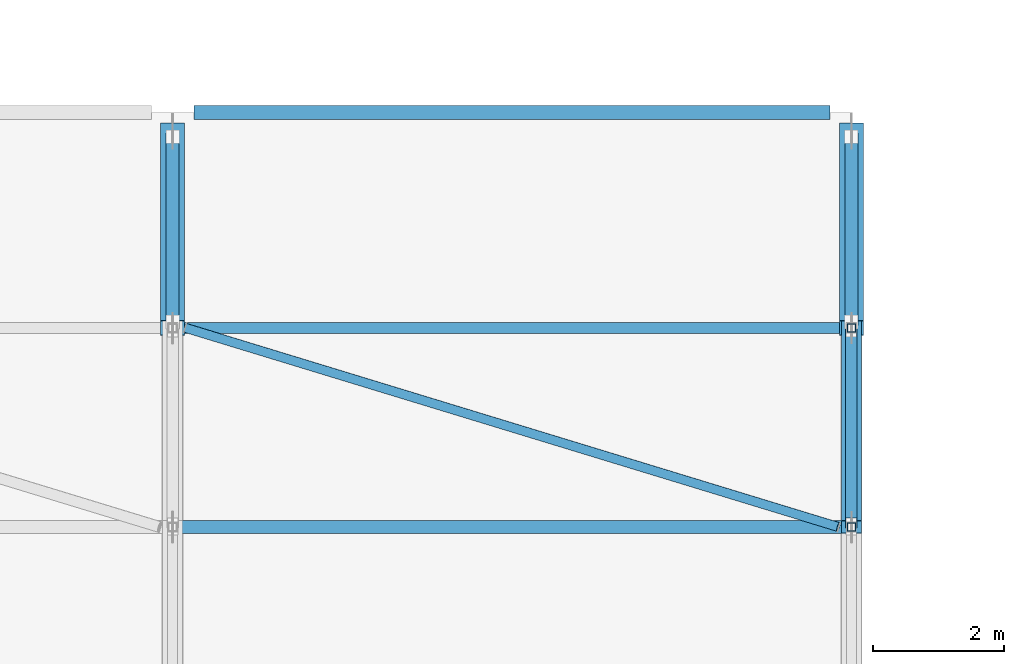
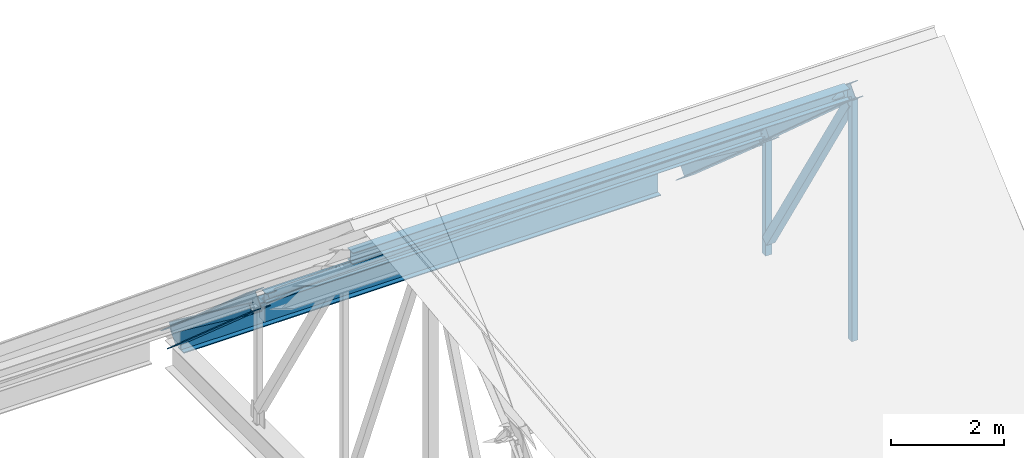
# One storey, part 30 of 86: 9 members, 3 beams.
"""IFC4 building model written with IfcOpenShell, lengths in metres."""

from ifc_helpers import new_model, si_unit, derived_unit, direction, frame, origin, origin_2d, place, context, subcontext, project, spatial, hollow_rectangle, hollow_circle, i_section, extrude, material, material_profile, profile_set, type_object, element, save


model = new_model("IFC4")

# Units and contexts
model_context = context("Model", 3, precision=1e-05, world=origin(), true_north=direction((0.0, 1.0)))
body_context = subcontext(model_context, "Body", "Model", "MODEL_VIEW")
ifc_project = project(units=[si_unit("LENGTHUNIT", "METRE"), si_unit("AREAUNIT", "SQUARE_METRE"), si_unit("VOLUMEUNIT", "CUBIC_METRE"), si_unit("PLANEANGLEUNIT", "RADIAN"), si_unit("MASSUNIT", "GRAM", prefix="KILO"), derived_unit("THERMALTRANSMITTANCEUNIT", [(si_unit("POWERUNIT", "WATT"), 1), (si_unit("LENGTHUNIT", "METRE"), -2), (si_unit("THERMODYNAMICTEMPERATUREUNIT", "KELVIN"), -1)])], contexts=[model_context])

# Site, building, storey
site_placement = place(None, origin())
site = spatial("IfcSite", under=ifc_project, at=site_placement, CompositionType="ELEMENT")
building_placement = place(site_placement, origin())
building = spatial("IfcBuilding", under=site, at=building_placement, Name="Braskholm Square Health Centre", CompositionType="ELEMENT")
storey_placement = place(building_placement, frame((0.0, 0.0, 13.5)))
storey = spatial("IfcBuildingStorey", under=building, at=storey_placement, Name="L04", CompositionType="ELEMENT", Elevation=13.5)

# Beams
ifc_material_1 = material(Name="Steel ASTM A992 Grade 50", Category="steel")
ifc_material_profile_1 = material_profile(ifc_material_1, i_section(OverallWidth=0.201904296875, OverallDepth=0.2470703125, WebThickness=0.00732421875, FlangeThickness=0.010986328125, at=origin_2d()), Name="W10X33")
ifc_profile_set_1 = profile_set([ifc_material_profile_1], Name="Steel ASTM A992 Grade 50")
beam_type_1 = type_object("IfcBeamType", Name="RoofPurlinJoistW10X33", PredefinedType="JOIST", material=ifc_profile_set_1)
beam_1_placement = place(storey_placement, frame((110.1201171875, 100.64990234375, 5.12109375), z_axis=(1.0, 0.0, 0.0), x_axis=(0.0, 1.0, 0.0)))
element("IfcBeam", 1, at=beam_1_placement, inside=storey, type_object=beam_type_1, Name="ROOF TRUSS purlin joist 034", PredefinedType="JOIST", context=body_context, shape_type="SweptSolid", body=[
    extrude(i_section(OverallWidth=0.201904296875, OverallDepth=0.2470703125, WebThickness=0.00732421875, FlangeThickness=0.010986328125, at=origin_2d()), origin(), (0.0, 0.0, 1.0), 10.159912109375),
])
ifc_material_profile_2 = material_profile(ifc_material_1, i_section(OverallWidth=0.1650390625, OverallDepth=0.200927734375, WebThickness=0.006103515625, FlangeThickness=0.01025390625, at=origin_2d()), Name="W8X24")
ifc_profile_set_2 = profile_set([ifc_material_profile_2], Name="Steel ASTM A992 Grade 50")
beam_type_2 = type_object("IfcBeamType", Name="RoofPurlinJoistW8X24", PredefinedType="JOIST", material=ifc_profile_set_2)
beam_2_placement = place(storey_placement, frame((110.1201171875, 103.699951171875, 2.402099609375), z_axis=(1.0, 0.0, 0.0), x_axis=(0.0, 1.0, 0.0)))
element("IfcBeam", 2, at=beam_2_placement, inside=storey, type_object=beam_type_2, Name="ROOF TRUSS purlin joist 035", PredefinedType="JOIST", context=body_context, shape_type="SweptSolid", body=[
    extrude(i_section(OverallWidth=0.1650390625, OverallDepth=0.200927734375, WebThickness=0.006103515625, FlangeThickness=0.01025390625, at=origin_2d()), origin(), (0.0, 0.0, 1.0), 10.159912109375),
])

# Member
ifc_material_2 = material(Name="Steel ASTM A500 Grade C", Category="steel")
ifc_material_profile_3 = material_profile(ifc_material_2, hollow_circle(Radius=0.070556640625, WallThickness=0.006103515625, at=origin_2d()), Name="HSS5.563X0.258")
ifc_profile_set_3 = profile_set([ifc_material_profile_3], Name="Steel ASTM A500 Grade C")
member_type_1 = type_object("IfcMemberType", Name="RoofSwayBraceCHS141", PredefinedType="BRACE", material=ifc_profile_set_3)
member_1_placement = place(storey_placement, frame((110.199951171875, 103.699951171875, 2.402099609375), z_axis=(0.925704815743, -0.282344488845, 0.251698596995), x_axis=(0.291736758099, 0.956498648182, 0.0)))
element("IfcMember", 3, at=member_1_placement, inside=storey, type_object=member_type_1, Name="ROOF TRUSS slope brace North Bay 7", PredefinedType="BRACE", context=body_context, shape_type="SweptSolid", body=[
    extrude(hollow_circle(Radius=0.070556640625, WallThickness=0.006103515625, at=origin_2d()), origin(), (0.0, 0.0, 1.0), 10.802490234375),
])

# Beam
ifc_material_profile_4 = material_profile(ifc_material_1, i_section(OverallWidth=0.2119140625, OverallDepth=0.5439453125, WebThickness=0.01318359375, FlangeThickness=0.021240234375, at=origin_2d()), Name="W21X83")
ifc_profile_set_4 = profile_set([ifc_material_profile_4], Name="Steel ASTM A992 Grade 50")
beam_type_3 = type_object("IfcBeamType", Name="SteelGirderEaveW21X83", PredefinedType="BEAM", material=ifc_profile_set_4)
beam_3_placement = place(storey_placement, frame((110.324951171875, 107.0, -0.572021484375), z_axis=(1.0, 0.0, 0.0), x_axis=(0.0, 1.0, 0.0)))
element("IfcBeam", 4, at=beam_3_placement, inside=storey, type_object=beam_type_3, Name="Beam 14-15/R L04", PredefinedType="BEAM", context=body_context, shape_type="SweptSolid", body=[
    extrude(i_section(OverallWidth=0.2119140625, OverallDepth=0.5439453125, WebThickness=0.01318359375, FlangeThickness=0.021240234375, at=origin_2d()), origin(), (0.0, 0.0, 1.0), 9.75),
])

# Members
ifc_material_profile_5 = material_profile(ifc_material_1, i_section(OverallWidth=0.304931640625, OverallDepth=0.306884765625, WebThickness=0.010009765625, FlangeThickness=0.015380859375, at=origin_2d()), Name="W12X65")
ifc_profile_set_5 = profile_set([ifc_material_profile_5], Name="Steel ASTM A992 Grade 50")
member_type_2 = type_object("IfcMemberType", Name="TrussHipChordW12X65", PredefinedType="CHORD", material=ifc_profile_set_5)
member_2_placement = place(storey_placement, frame((120.39990234375, 100.64990234375, 5.101318359375), z_axis=(0.0, 0.746426169494, -0.665468236278), x_axis=(-1.0, 0.0, 0.0)))
element("IfcMember", 5, at=member_2_placement, inside=storey, type_object=member_type_2, Name="ROOF TRUSS top chord TR-08-5", PredefinedType="CHORD", context=body_context, shape_type="SweptSolid", body=[
    extrude(i_section(OverallWidth=0.304931640625, OverallDepth=0.306884765625, WebThickness=0.010009765625, FlangeThickness=0.015380859375, at=origin_2d()), origin(), (0.0, 0.0, 1.0), 4.086181640625),
])
ifc_material_profile_6 = material_profile(ifc_material_2, hollow_rectangle(XDim=0.177734375, YDim=0.177734375, WallThickness=0.0087890625, at=origin_2d()), Name="HSS7X7X3/8")
ifc_profile_set_6 = profile_set([ifc_material_profile_6], Name="Steel ASTM A500 Grade C")
member_type_3 = type_object("IfcMemberType", Name="TrussInnerDiagHSS7X7", PredefinedType="BRACE", material=ifc_profile_set_6)
member_3_placement = place(storey_placement, frame((120.39990234375, 103.636962890625, 0.06201171875), z_axis=(0.0, -0.522065213128, 0.852905571117), x_axis=(1.0, 0.0, 0.0)))
element("IfcMember", 6, at=member_3_placement, inside=storey, type_object=member_type_3, Name="ROOF TRUSS diagonal web TR-08-D5", PredefinedType="BRACE", context=body_context, shape_type="SweptSolid", body=[
    extrude(hollow_rectangle(XDim=0.177734375, YDim=0.177734375, WallThickness=0.0087890625, at=origin_2d()), origin(), (0.0, 0.0, 1.0), 5.60107421875),
])
ifc_material_profile_7 = material_profile(ifc_material_2, hollow_rectangle(XDim=0.203125, YDim=0.203125, WallThickness=0.01171875, at=origin_2d()), Name="HSS8X8X1/2")
ifc_profile_set_7 = profile_set([ifc_material_profile_7], Name="Steel ASTM A500 Grade C")
member_type_4 = type_object("IfcMemberType", Name="TrussOuterDiagHSS8X8X12", PredefinedType="BRACE", material=ifc_profile_set_7)
for number, where, z_axis, x_axis, name in (
    (7, (110.0, 106.6240234375, 0.031982421875), (0.0, -0.800430964811, 0.599424949908), (1.0, 0.0, 0.0), "ROOF TRUSS diagonal web TR-07-D6"),
    (8, (120.39990234375, 106.6240234375, 0.031982421875), (0.0, -0.800430964811, 0.599424949908), (1.0, 0.0, 0.0), "ROOF TRUSS diagonal web TR-08-D6"),
):
    element("IfcMember", number, at=place(storey_placement, frame(where, z_axis=z_axis, x_axis=x_axis)), inside=storey, type_object=member_type_4, Name=name, PredefinedType="BRACE", context=body_context, shape_type="SweptSolid", body=[
        extrude(hollow_rectangle(XDim=0.203125, YDim=0.203125, WallThickness=0.01171875, at=origin_2d()), origin(), (0.0, 0.0, 1.0), 3.533203125),
    ])
ifc_material_profile_8 = material_profile(ifc_material_1, i_section(OverallWidth=0.368896484375, OverallDepth=0.35595703125, WebThickness=0.01123046875, FlangeThickness=0.01806640625, at=origin_2d()), Name="W14X90")
ifc_profile_set_8 = profile_set([ifc_material_profile_8], Name="Steel ASTM A992 Grade 50")
member_type_5 = type_object("IfcMemberType", Name="TrussTopChordW14X90", PredefinedType="CHORD", material=ifc_profile_set_8)
for number, where, z_axis, x_axis, name in (
    (9, (110.0, 103.699951171875, 2.382080078125), (0.0, 0.752629458895, -0.658444301064), (-1.0, 0.0, 0.0), "ROOF TRUSS top chord TR-07-6"),
    (10, (120.39990234375, 103.699951171875, 2.382080078125), (0.0, 0.752629458895, -0.658444301064), (-1.0, 0.0, 0.0), "ROOF TRUSS top chord TR-08-6"),
):
    element("IfcMember", number, at=place(storey_placement, frame(where, z_axis=z_axis, x_axis=x_axis)), inside=storey, type_object=member_type_5, Name=name, PredefinedType="CHORD", context=body_context, shape_type="SweptSolid", body=[
        extrude(i_section(OverallWidth=0.368896484375, OverallDepth=0.35595703125, WebThickness=0.01123046875, FlangeThickness=0.01806640625, at=origin_2d()), origin(), (0.0, 0.0, 1.0), 4.0126953125),
    ])
ifc_material_profile_9 = material_profile(ifc_material_2, hollow_rectangle(XDim=0.126953125, YDim=0.126953125, WallThickness=0.00732421875, at=origin_2d()), Name="HSS5X5X5/16")
ifc_profile_set_9 = profile_set([ifc_material_profile_9], Name="Steel ASTM A500 Grade C")
member_type_6 = type_object("IfcMemberType", Name="TrussVerticalStrutHSS5X5", PredefinedType="STRUT", material=ifc_profile_set_9)
member_4_placement = place(storey_placement, frame((120.39990234375, 100.64990234375, -0.27001953125), z_axis=(0.0, 0.0, 1.0), x_axis=(1.0, 0.0, 0.0)))
element("IfcMember", 11, at=member_4_placement, inside=storey, type_object=member_type_6, Name="ROOF TRUSS vertical strut TR-08-V4", PredefinedType="STRUT", context=body_context, shape_type="SweptSolid", body=[
    extrude(hollow_rectangle(XDim=0.126953125, YDim=0.126953125, WallThickness=0.00732421875, at=origin_2d()), origin(), (0.0, 0.0, 1.0), 5.21142578125),
])
member_5_placement = place(storey_placement, frame((120.39990234375, 103.699951171875, -0.27001953125), z_axis=(0.0, 0.0, 1.0), x_axis=(1.0, 0.0, 0.0)))
element("IfcMember", 12, at=member_5_placement, inside=storey, type_object=member_type_6, Name="ROOF TRUSS vertical strut TR-08-V5", PredefinedType="STRUT", context=body_context, shape_type="SweptSolid", body=[
    extrude(hollow_rectangle(XDim=0.126953125, YDim=0.126953125, WallThickness=0.00732421875, at=origin_2d()), origin(), (0.0, 0.0, 1.0), 2.4921875),
])

save(model, "model.ifc")
